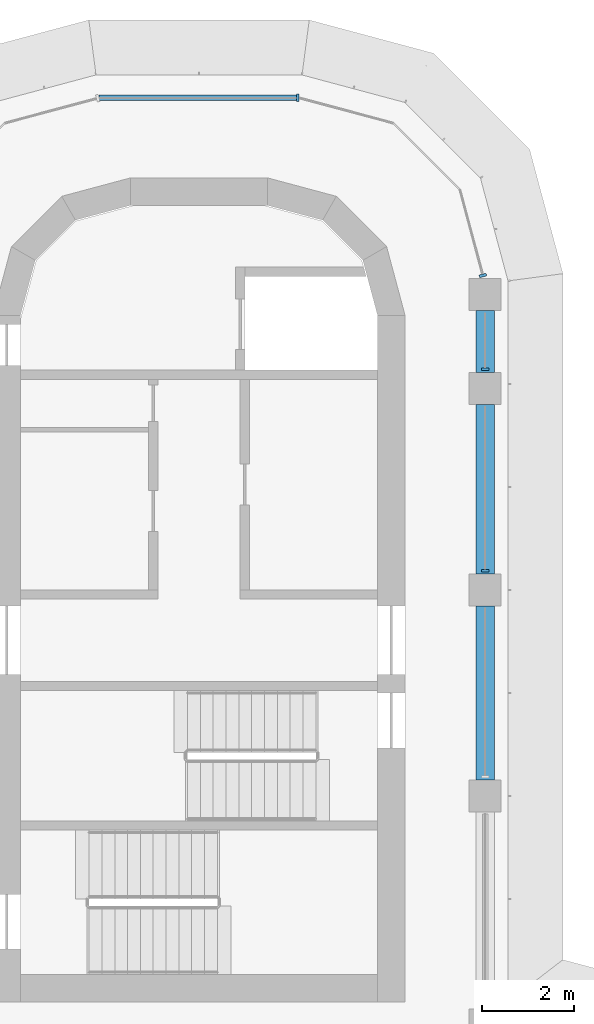
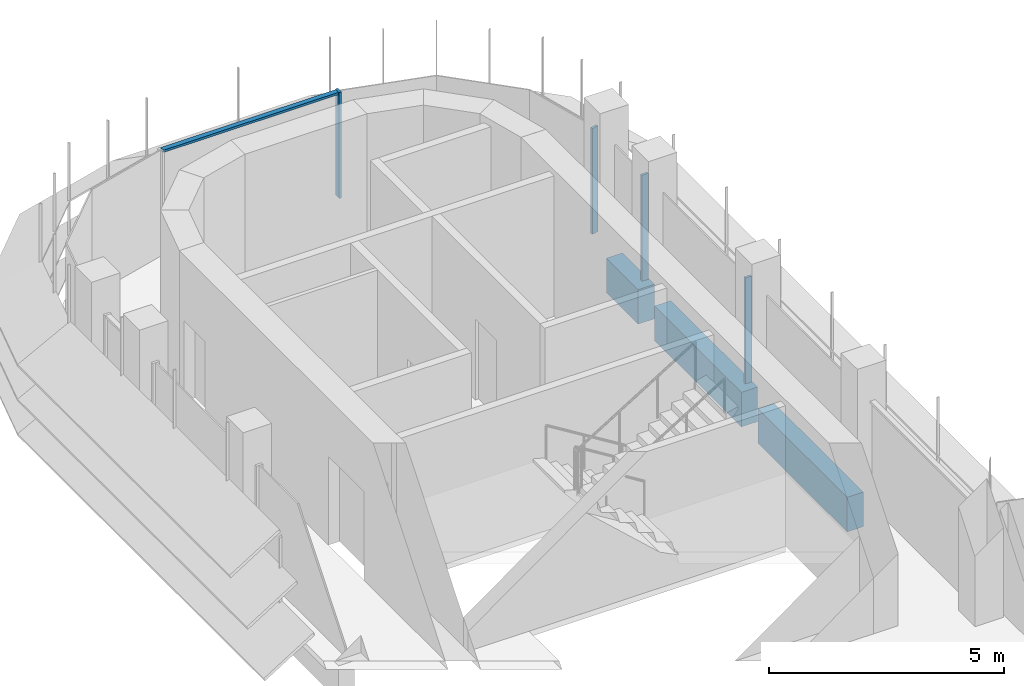
# One storey, part 10 of 19: 5 members, 3 beams, 3 elements without a shape of their own.
"""IFC4 building model written with IfcOpenShell, lengths in metres."""

from ifc_helpers import new_model, si_unit, direction, frame, origin, origin_2d, place, context, subcontext, project, spatial, polyline, rectangle, outline, extrude, source, transform, mapped, material, material_profile, profile_set, type_object, element, aggregate, save


model = new_model("IFC4")

# Units and contexts
model_context = context("Model", 3, precision=1e-05, world=origin(), true_north=direction((0.0, 1.0)))
body_context = subcontext(model_context, "Body", "Model", "MODEL_VIEW")
ifc_project = project(units=[si_unit("LENGTHUNIT", "METRE"), si_unit("AREAUNIT", "SQUARE_METRE"), si_unit("VOLUMEUNIT", "CUBIC_METRE"), si_unit("PLANEANGLEUNIT", "RADIAN"), si_unit("MASSUNIT", "GRAM", prefix="KILO")], contexts=[model_context])

# Site, building, storey
site_placement = place(None, origin())
site = spatial("IfcSite", under=ifc_project, at=site_placement, CompositionType="ELEMENT")
building_placement = place(site_placement, origin())
building = spatial("IfcBuilding", under=site, at=building_placement, Name="Zarbagh Exchange Tower", CompositionType="ELEMENT")
storey_placement = place(building_placement, frame((0.0, 0.0, 199.199951171875)))
storey = spatial("IfcBuildingStorey", under=building, at=storey_placement, Name="L48", CompositionType="ELEMENT", Elevation=199.199951171875)

# Beams
ifc_material_1 = material(Name="Concrete C50/60", Category="concrete")
ifc_material_profile = material_profile(ifc_material_1, rectangle(XDim=0.39990234375, YDim=0.89990234375, at=origin_2d()), Name="RC spandrel beam 400 x 900 C50/60")
ifc_profile_set = profile_set([ifc_material_profile], Name="Concrete C50/60")
beam_type = type_object("IfcBeamType", Name="RC spandrel beam 400 x 900 C50/60", PredefinedType="SPANDREL", material=ifc_profile_set)
beam_1_placement = place(storey_placement, frame((6.25, 26.35009765625, -0.599853515625), z_axis=(0.0, -1.0, 0.0), x_axis=(1.0, 0.0, 0.0)))
element("IfcBeam", 1, at=beam_1_placement, inside=storey, type_object=beam_type, Name="RC spandrel beam", PredefinedType="SPANDREL", context=body_context, shape_type="SweptSolid", body=[
    extrude(rectangle(XDim=0.39990234375, YDim=0.89990234375, at=origin_2d()), origin(), (0.0, 0.0, 1.0), 1.35009765625),
])
beam_2_placement = place(storey_placement, frame((6.25, 24.300048828125, -0.599853515625), z_axis=(0.0, -1.0, 0.0), x_axis=(1.0, 0.0, 0.0)))
element("IfcBeam", 2, at=beam_2_placement, inside=storey, type_object=beam_type, Name="RC spandrel beam", PredefinedType="SPANDREL", context=body_context, shape_type="SweptSolid", body=[
    extrude(rectangle(XDim=0.39990234375, YDim=0.89990234375, at=origin_2d()), origin(), (0.0, 0.0, 1.0), 3.699951171875),
])
beam_3_placement = place(storey_placement, frame((6.25, 19.89990234375, -0.599853515625), z_axis=(0.0, -1.0, 0.0), x_axis=(1.0, 0.0, 0.0)))
element("IfcBeam", 3, at=beam_3_placement, inside=storey, type_object=beam_type, Name="RC spandrel beam", PredefinedType="SPANDREL", context=body_context, shape_type="SweptSolid", body=[
    extrude(rectangle(XDim=0.39990234375, YDim=0.89990234375, at=origin_2d()), origin(), (0.0, 0.0, 1.0), 3.7998046875),
])

# Curtain wall, members
ifc_material_2 = material(Name="Anodised aluminium frame and glazing", Category="aluminium")
curtain_wall_type = type_object("IfcCurtainWallType", Name="CWB Ribbon glazing, upper zones", PredefinedType="NOTDEFINED", material=ifc_material_2)
curtain_wall_1_placement = place(storey_placement, origin())
curtain_wall_1 = element("IfcCurtainWall", 4, at=curtain_wall_1_placement, inside=storey, type_object=curtain_wall_type, Name="CWB20 curtain wall", PredefinedType="NOTDEFINED")
ifc_material_3 = material(Name="Anodised aluminium frame", Category="aluminium")
member_type_1 = type_object("IfcMemberType", Name="MUB Mullion, anodised aluminium frame", PredefinedType="MULLION", material=ifc_material_3)
shared_shape_1 = source(origin(), body_context, "Body", "SweptSolid", [
    extrude(outline(polyline([(0.0, -0.080078125), (0.06005859375, -0.080078125), (0.06005859375, 0.080078125), (0.0, 0.080078125), (0.0, -0.080078125)])), origin(), (0.0, 0.0, 1.0), 2.75),
])
placement = place(storey_placement, origin())
member_1 = element("IfcMember", 5, at=placement, type_object=member_type_1, Name="CWB20 mullion 3.1", PredefinedType="MULLION", context=body_context, shape_type="MappedRepresentation", body=[
    mapped(shared_shape_1, transform((6.25, 20.64013671875, 0.0), x_axis=(0.0, 1.0, 0.0), y_axis=(-1.0, 0.0, 0.0), z_axis=(0.0, 0.0, 1.0))),
])
member_2 = element("IfcMember", 6, at=placement, type_object=member_type_1, Name="CWB20 mullion 4.1", PredefinedType="MULLION", context=body_context, shape_type="MappedRepresentation", body=[
    mapped(shared_shape_1, transform((6.25, 25.0400390625, 0.0), x_axis=(0.0, 1.0, 0.0), y_axis=(-1.0, 0.0, 0.0), z_axis=(0.0, 0.0, 1.0))),
])
aggregate(curtain_wall_1, [member_1, member_2])

# Curtain wall, member
curtain_wall_2_placement = place(storey_placement, origin())
curtain_wall_2 = element("IfcCurtainWall", 7, at=curtain_wall_2_placement, inside=storey, type_object=curtain_wall_type, Name="CWB21 curtain wall", PredefinedType="NOTDEFINED")
member_3 = element("IfcMember", 8, at=placement, type_object=member_type_1, Name="CWB21 mullion 1.1", PredefinedType="MULLION", context=body_context, shape_type="MappedRepresentation", body=[
    mapped(shared_shape_1, transform((6.208251953125, 27.090087890625, 0.0), x_axis=(-0.258824779902, 0.965924289636, 0.0), y_axis=(-0.965924289636, -0.258824779902, 0.0), z_axis=(0.0, 0.0, 1.0))),
])
aggregate(curtain_wall_2, [member_3])

# Curtain wall, members
curtain_wall_3_placement = place(storey_placement, origin())
curtain_wall_3 = element("IfcCurtainWall", 9, at=curtain_wall_3_placement, inside=storey, type_object=curtain_wall_type, Name="CWB24 curtain wall", PredefinedType="NOTDEFINED")
member_4 = element("IfcMember", 10, at=placement, type_object=member_type_1, Name="CWB24 mullion 1.1", PredefinedType="MULLION", context=body_context, shape_type="MappedRepresentation", body=[
    mapped(shared_shape_1, transform((2.18408203125, 31.0, 0.0), x_axis=(-1.0, 0.0, 0.0), y_axis=(0.0, -1.0, 0.0), z_axis=(0.0, 0.0, 1.0))),
])
member_type_2 = type_object("IfcMemberType", Name="TRB Transom, anodised aluminium frame", PredefinedType="USERDEFINED", material=ifc_material_3)
shared_shape_2 = source(origin(), body_context, "Body", "SweptSolid", [
    extrude(outline(polyline([(-0.06005859375, -0.06005859375), (0.0, -0.06005859375), (0.0, 0.06005859375), (-0.06005859375, 0.06005859375), (-0.06005859375, -0.06005859375)])), origin(), (0.0, 0.0, 1.0), 4.308349609375),
])
member_5 = element("IfcMember", 11, at=placement, type_object=member_type_2, Name="CWB24 transom 1.1", ObjectType="TRANSOM", PredefinedType="USERDEFINED", context=body_context, shape_type="MappedRepresentation", body=[
    mapped(shared_shape_2, transform((2.124267578125, 31.0, 2.75), x_axis=(0.0, 0.0, 1.0), y_axis=(0.0, 1.0, 0.0), z_axis=(-1.0, 0.0, 0.0))),
])
aggregate(curtain_wall_3, [member_4, member_5])

save(model, "model.ifc")
